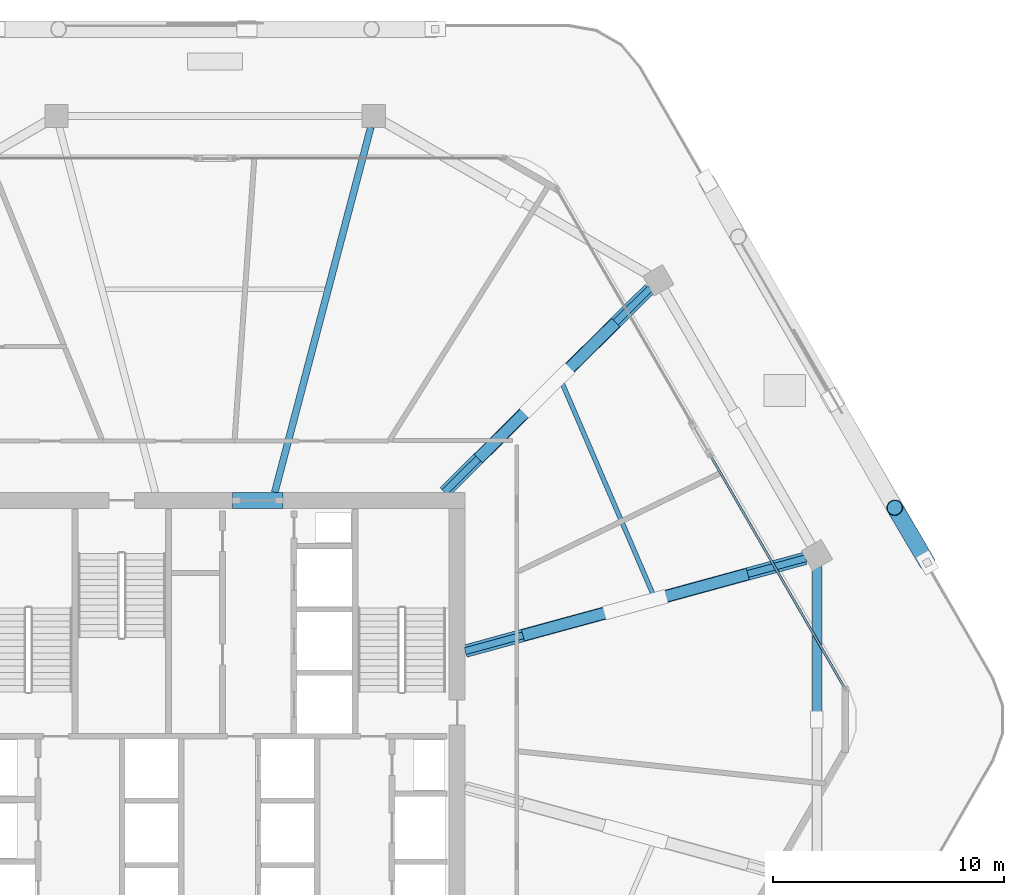
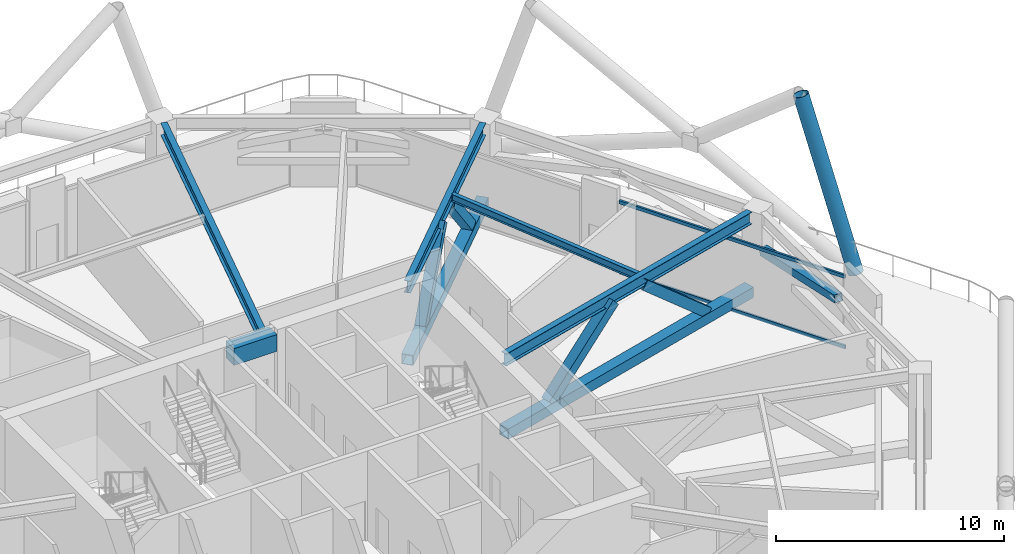
# One storey, part 9 of 20: 10 members, 5 beams, 1 element without a shape of its own.
"""IFC4 building model written with IfcOpenShell, lengths in metres."""

from ifc_helpers import new_model, si_unit, direction, frame, origin, origin_2d, place, context, subcontext, project, spatial, rectangle, hollow_rectangle, hollow_circle, i_section, extrude, material, material_profile, profile_set, type_object, element, aggregate, save


model = new_model("IFC4")

# Units and contexts
model_context = context("Model", 3, precision=1e-05, world=origin(), true_north=direction((0.0, 1.0)))
body_context = subcontext(model_context, "Body", "Model", "MODEL_VIEW")
ifc_project = project(units=[si_unit("LENGTHUNIT", "METRE"), si_unit("AREAUNIT", "SQUARE_METRE"), si_unit("VOLUMEUNIT", "CUBIC_METRE"), si_unit("PLANEANGLEUNIT", "RADIAN"), si_unit("MASSUNIT", "GRAM", prefix="KILO")], contexts=[model_context])

# Site, building, storey
site_placement = place(None, origin())
site = spatial("IfcSite", under=ifc_project, at=site_placement, CompositionType="ELEMENT")
building_placement = place(site_placement, origin())
building = spatial("IfcBuilding", under=site, at=building_placement, Name="Zuhravey Tower", CompositionType="ELEMENT")
storey_placement = place(building_placement, frame((0.0, 0.0, 145.60009765625)))
storey = spatial("IfcBuildingStorey", under=building, at=storey_placement, Name="L36", CompositionType="ELEMENT", Elevation=145.60009765625)

# Member
ifc_material_1 = material(Name="Steel SM355", Category="steel")
ifc_material_profile_1 = material_profile(ifc_material_1, hollow_rectangle(XDim=0.39990234375, YDim=0.39990234375, WallThickness=0.02490234375, at=origin_2d()), Name="RHS-400x400x25")
ifc_profile_set_1 = profile_set([ifc_material_profile_1], Name="Steel SM355")
member_type_1 = type_object("IfcMemberType", Name="Belt Truss Diagonal RHS400x400", PredefinedType="BRACE", material=ifc_profile_set_1)
member_1_placement = place(storey_placement, frame((62.107666015625, 38.60693359375, 2.4931640625), z_axis=(0.0, -0.977163605411, 0.212488324995), x_axis=(1.0, 0.0, 0.0)))
element("IfcMember", 1, at=member_1_placement, inside=storey, type_object=member_type_1, Name="L36 Belt Truss Diagonal BTD1-11.2", PredefinedType="BRACE", context=body_context, shape_type="SweptSolid", body=[
    extrude(hollow_rectangle(XDim=0.39990234375, YDim=0.39990234375, WallThickness=0.02490234375, at=origin_2d()), origin(), (0.0, 0.0, 1.0), 6.736328125),
])

# Beam
ifc_material_2 = material(Name="Concrete C60/75", Category="concrete")
ifc_material_profile_2 = material_profile(ifc_material_2, rectangle(XDim=0.699951171875, YDim=0.89990234375, at=origin_2d()), Name="RC-700x900")
ifc_profile_set_2 = profile_set([ifc_material_profile_2], Name="Concrete C60/75")
beam_type_1 = type_object("IfcBeamType", Name="Core Coupling Beam RC700x900", PredefinedType="LINTEL", material=ifc_profile_set_2)
beam_1_placement = place(storey_placement, frame((36.751953125, 41.5, 4.099853515625), z_axis=(1.0, 0.0, 0.0), x_axis=(0.0, 1.0, 0.0)))
element("IfcBeam", 2, at=beam_1_placement, inside=storey, type_object=beam_type_1, Name="L36 CB1 BM-L36-CB-N", PredefinedType="LINTEL", context=body_context, shape_type="SweptSolid", body=[
    extrude(rectangle(XDim=0.699951171875, YDim=0.89990234375, at=origin_2d()), origin(), (0.0, 0.0, 1.0), 2.196044921875),
])

# Members
ifc_material_3 = material(Name="Steel SM460", Category="steel")
ifc_material_profile_3 = material_profile(ifc_material_3, hollow_circle(Radius=0.355712890625, WallThickness=0.031982421875, at=origin_2d()), Name="CHS-711.2x32")
ifc_profile_set_3 = profile_set([ifc_material_profile_3], Name="Steel SM460")
member_type_2 = type_object("IfcMemberType", Name="Exoskeleton Zone 2 Diagrid CHS711x32", PredefinedType="BRACE", material=ifc_profile_set_3)
member_2_placement = place(storey_placement, frame((66.887451171875, 38.80712890625, -0.47412109375), z_axis=(-0.155877916067, 0.263377128102, 0.952016052215), x_axis=(-0.860574310331, -0.50932490259, 0.0)))
element("IfcMember", 3, at=member_2_placement, inside=storey, type_object=member_type_2, Name="L36 Face 1 Diagrid Brace 1", PredefinedType="BRACE", context=body_context, shape_type="SweptSolid", body=[
    extrude(hollow_circle(Radius=0.355712890625, WallThickness=0.031982421875, at=origin_2d()), origin(), (0.0, 0.0, 1.0), 9.02294921875),
])
ifc_material_profile_4 = material_profile(ifc_material_3, hollow_rectangle(XDim=0.550048828125, YDim=0.550048828125, WallThickness=0.034912109375, at=origin_2d()), Name="RHS-550x550x35")
ifc_profile_set_4 = profile_set([ifc_material_profile_4], Name="Steel SM460")
member_type_3 = type_object("IfcMemberType", Name="Outrigger Truss Chord RHS550x550", PredefinedType="CHORD", material=ifc_profile_set_4)
member_3_placement = place(storey_placement, frame((46.85791015625, 34.9638671875, 0.31982421875), z_axis=(0.964705930293, 0.263329580674, 0.0), x_axis=(-0.263329580674, 0.964705930293, 0.0)))
element("IfcMember", 4, at=member_3_placement, inside=storey, type_object=member_type_3, Name="L36 Outrigger Bottom Chord OTC1-01", PredefinedType="CHORD", context=body_context, shape_type="SweptSolid", body=[
    extrude(hollow_rectangle(XDim=0.550048828125, YDim=0.550048828125, WallThickness=0.034912109375, at=origin_2d()), origin(), (0.0, 0.0, 1.0), 15.28564453125),
])
member_4_placement = place(storey_placement, frame((45.94921875, 41.8564453125, 0.31982421875), z_axis=(0.710400137377, 0.703798014216, 0.0), x_axis=(-0.703798014216, 0.710400137377, 0.0)))
element("IfcMember", 5, at=member_4_placement, inside=storey, type_object=member_type_3, Name="L36 Outrigger Bottom Chord OTC1-02", PredefinedType="CHORD", context=body_context, shape_type="SweptSolid", body=[
    extrude(hollow_rectangle(XDim=0.550048828125, YDim=0.550048828125, WallThickness=0.034912109375, at=origin_2d()), origin(), (0.0, 0.0, 1.0), 12.535888671875),
])
ifc_material_profile_5 = material_profile(ifc_material_3, hollow_rectangle(XDim=0.5, YDim=0.5, WallThickness=0.031982421875, at=origin_2d()), Name="RHS-500x500x32")
ifc_profile_set_5 = profile_set([ifc_material_profile_5], Name="Steel SM460")
member_type_4 = type_object("IfcMemberType", Name="Outrigger Truss Diagonal RHS500x500", PredefinedType="BRACE", material=ifc_profile_set_5)
for number, where, z_axis, x_axis, name in (
    (6, (49.51220703125, 35.6884765625, 0.559814453125), (0.72669851559, 0.198333535266, 0.65770287838), (-0.263294134222, 0.964715605183, 0.0), "L36 Outrigger Diagonal OTD1-01.1"),
    (7, (58.94970703125, 38.264404296875, 0.559814453125), (-0.72669851559, -0.198333535266, 0.65770287838), (0.263294134222, -0.964715605183, 0.0), "L36 Outrigger Diagonal OTD1-01.2"),
):
    element("IfcMember", number, at=place(storey_placement, frame(where, z_axis=z_axis, x_axis=x_axis)), inside=storey, type_object=member_type_4, Name=name, PredefinedType="BRACE", context=body_context, shape_type="SweptSolid", body=[
        extrude(hollow_rectangle(XDim=0.5, YDim=0.5, WallThickness=0.031982421875, at=origin_2d()), origin(), (0.0, 0.0, 1.0), 5.27587890625),
    ])
for number, where, z_axis, x_axis, name in (
    (8, (47.552001953125, 43.444580078125, 0.559814453125), (0.486365087696, 0.481852210459, 0.728880956498), (-0.703803299445, 0.710394901228, 0.0), "L36 Outrigger Diagonal OTD1-02.1"),
    (9, (53.251708984375, 49.091064453125, 0.559814453125), (-0.486365087696, -0.481852210459, 0.728880956498), (0.703803299445, -0.710394901228, 0.0), "L36 Outrigger Diagonal OTD1-02.2"),
):
    element("IfcMember", number, at=place(storey_placement, frame(where, z_axis=z_axis, x_axis=x_axis)), inside=storey, type_object=member_type_4, Name=name, PredefinedType="BRACE", context=body_context, shape_type="SweptSolid", body=[
        extrude(hollow_rectangle(XDim=0.5, YDim=0.5, WallThickness=0.031982421875, at=origin_2d()), origin(), (0.0, 0.0, 1.0), 4.7607421875),
    ])

# Beams
ifc_material_profile_6 = material_profile(ifc_material_1, i_section(OverallWidth=0.300048828125, OverallDepth=0.64990234375, WebThickness=0.012939453125, FlangeThickness=0.02197265625, at=origin_2d()), Name="H-650x300x13x22")
ifc_profile_set_6 = profile_set([ifc_material_profile_6], Name="Steel SM355")
beam_type_2 = type_object("IfcBeamType", Name="Radial Primary Girder H650x300", PredefinedType="BEAM", material=ifc_profile_set_6)
beam_2_placement = place(storey_placement, frame((46.85302734375, 34.96240234375, 4.224853515625), z_axis=(0.964701601771, 0.263345437667, 0.0), x_axis=(-0.263345437667, 0.964701601771, 0.0)))
element("IfcBeam", 10, at=beam_2_placement, inside=storey, type_object=beam_type_2, Name="L36 RG2 BM-L36-RAD-01", PredefinedType="BEAM", context=body_context, shape_type="SweptSolid", body=[
    extrude(i_section(OverallWidth=0.300048828125, OverallDepth=0.64990234375, WebThickness=0.012939453125, FlangeThickness=0.02197265625, at=origin_2d()), origin(), (0.0, 0.0, 1.0), 15.309814453125),
])
beam_3_placement = place(storey_placement, frame((45.945556640625, 41.85302734375, 4.224853515625), z_axis=(0.71040353357, 0.703794586148, 0.0), x_axis=(-0.703794586148, 0.71040353357, 0.0)))
element("IfcBeam", 11, at=beam_3_placement, inside=storey, type_object=beam_type_2, Name="L36 RG2 BM-L36-RAD-02", PredefinedType="BEAM", context=body_context, shape_type="SweptSolid", body=[
    extrude(i_section(OverallWidth=0.300048828125, OverallDepth=0.64990234375, WebThickness=0.012939453125, FlangeThickness=0.02197265625, at=origin_2d()), origin(), (0.0, 0.0, 1.0), 12.559814453125),
])
beam_4_placement = place(storey_placement, frame((38.5908203125, 41.85302734375, 4.224853515625), z_axis=(0.254300244998, 0.967125320418, 0.0), x_axis=(-0.967125320418, 0.254300244998, 0.0)))
element("IfcBeam", 12, at=beam_4_placement, inside=storey, type_object=beam_type_2, Name="L36 RG2 BM-L36-RAD-03", PredefinedType="BEAM", context=body_context, shape_type="SweptSolid", body=[
    extrude(i_section(OverallWidth=0.300048828125, OverallDepth=0.64990234375, WebThickness=0.012939453125, FlangeThickness=0.02197265625, at=origin_2d()), origin(), (0.0, 0.0, 1.0), 16.371826171875),
])
ifc_material_profile_7 = material_profile(ifc_material_1, i_section(OverallWidth=0.199951171875, OverallDepth=0.39990234375, WebThickness=0.008056640625, FlangeThickness=0.012939453125, at=origin_2d()), Name="H-400x200x8x13")
ifc_profile_set_7 = profile_set([ifc_material_profile_7], Name="Steel SM355")
beam_type_3 = type_object("IfcBeamType", Name="Secondary Floor Joist H400x200", PredefinedType="JOIST", material=ifc_profile_set_7)
beam_5_placement = place(storey_placement, frame((55.029541015625, 37.3525390625, 4.349853515625), z_axis=(-0.395265853487, 0.918566766799, 0.0), x_axis=(-0.918566766799, -0.395265853487, 0.0)))
element("IfcBeam", 13, at=beam_5_placement, inside=storey, type_object=beam_type_3, Name="L36 SJ2 BM-L36-SJ-01-1", PredefinedType="JOIST", context=body_context, shape_type="SweptSolid", body=[
    extrude(i_section(OverallWidth=0.199951171875, OverallDepth=0.39990234375, WebThickness=0.008056640625, FlangeThickness=0.012939453125, at=origin_2d()), origin(), (0.0, 0.0, 1.0), 10.150146484375),
])

# Curtain wall, members
ifc_material_4 = material(Name="Thermally broken anodised aluminium", Category="aluminium")
curtain_wall_type = type_object("IfcCurtainWallType", Name="Sky-Garden Tray Clerestory Curtain Wall CW5", PredefinedType="NOTDEFINED", material=ifc_material_4)
curtain_wall_placement = place(storey_placement, origin())
curtain_wall = element("IfcCurtainWall", 14, at=curtain_wall_placement, inside=storey, type_object=curtain_wall_type, Name="L36 CW5 CW-L36-F1-2", PredefinedType="NOTDEFINED")
ifc_material_5 = material(Name="Anodised aluminium", Category="aluminium")
ifc_material_profile_8 = material_profile(ifc_material_5, hollow_rectangle(XDim=0.10009765625, YDim=0.179931640625, WallThickness=0.006103515625, at=origin_2d()), Name="ALU-RHS-100x180x6")
ifc_profile_set_8 = profile_set([ifc_material_profile_8], Name="Anodised aluminium")
member_type_5 = type_object("IfcMemberType", Name="Tall-Storey Transom 100x180", PredefinedType="USERDEFINED", material=ifc_profile_set_8)
member_5_placement = place(storey_placement, frame((57.548095703125, 43.34375, 0.0498046875), z_axis=(0.499994903902, -0.866028345998, 0.0), x_axis=(0.866028345998, 0.499994903902, 0.0)))
member_5 = element("IfcMember", 15, at=member_5_placement, type_object=member_type_5, Name="CW5 transom 1.1", ObjectType="TRANSOM", PredefinedType="USERDEFINED", context=body_context, shape_type="SweptSolid", body=[
    extrude(hollow_rectangle(XDim=0.10009765625, YDim=0.179931640625, WallThickness=0.006103515625, at=origin_2d()), origin(), (0.0, 0.0, 1.0), 11.4541015625),
])
member_6_placement = place(storey_placement, frame((57.548095703125, 43.34375, 3.81982421875), z_axis=(0.499994903902, -0.866028345998, 0.0), x_axis=(0.866028345998, 0.499994903902, 0.0)))
member_6 = element("IfcMember", 16, at=member_6_placement, type_object=member_type_5, Name="CW5 transom 1.2", ObjectType="TRANSOM", PredefinedType="USERDEFINED", context=body_context, shape_type="SweptSolid", body=[
    extrude(hollow_rectangle(XDim=0.10009765625, YDim=0.179931640625, WallThickness=0.006103515625, at=origin_2d()), origin(), (0.0, 0.0, 1.0), 11.4541015625),
])
aggregate(curtain_wall, [member_5, member_6])

save(model, "model.ifc")
